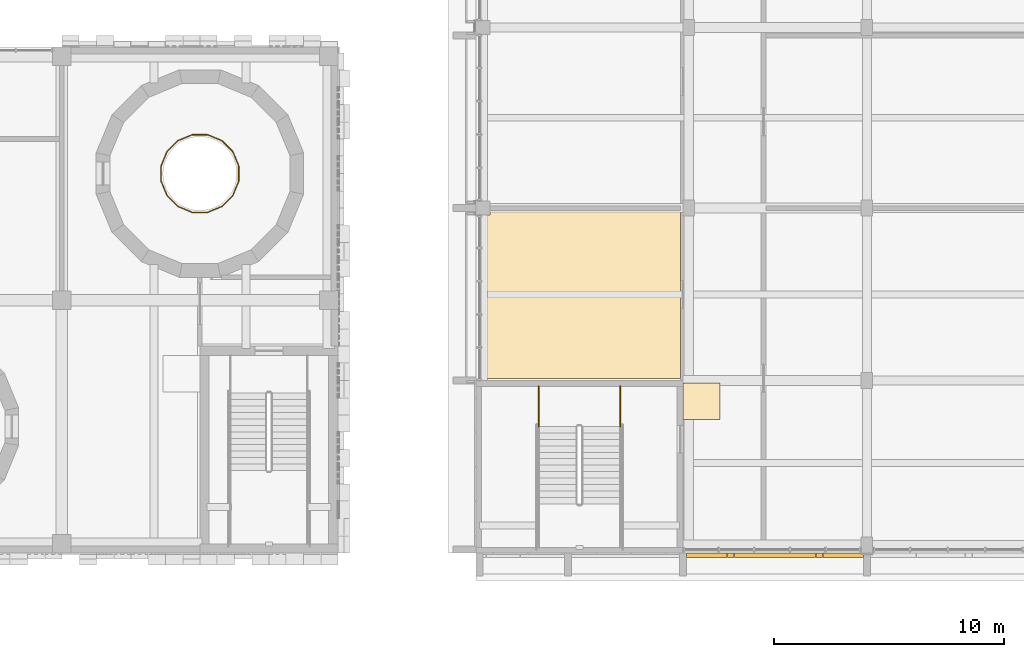
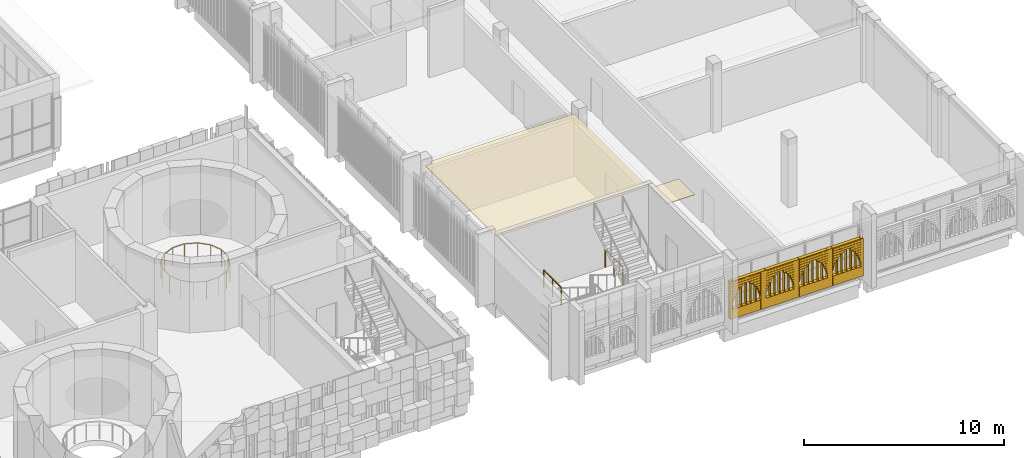
# One storey, part 78 of 92: 3 coverings, 3 railings.
"""IFC4 building model written with IfcOpenShell, lengths in metres."""

from ifc_helpers import new_model, si_unit, direction, frame, origin, origin_2d, place, context, subcontext, project, spatial, polyline, rectangle, circle, outline, extrude, material, layer, layer_set, type_object, element, save


model = new_model("IFC4")

# Units and contexts
model_context = context("Model", 3, precision=1e-05, world=origin(), true_north=direction((0.0, 1.0)))
body_context = subcontext(model_context, "Body", "Model", "MODEL_VIEW")
ifc_project = project(units=[si_unit("LENGTHUNIT", "METRE"), si_unit("AREAUNIT", "SQUARE_METRE"), si_unit("VOLUMEUNIT", "CUBIC_METRE"), si_unit("PLANEANGLEUNIT", "RADIAN"), si_unit("MASSUNIT", "GRAM", prefix="KILO")], contexts=[model_context])

# Site, building, storey
site_placement = place(None, origin())
site = spatial("IfcSite", under=ifc_project, at=site_placement, CompositionType="ELEMENT")
building_placement = place(site_placement, origin())
building = spatial("IfcBuilding", under=site, at=building_placement, Name="Sun Court Science Centre", CompositionType="ELEMENT")
storey_placement = place(building_placement, frame((0.0, 0.0, 11.25)))
storey = spatial("IfcBuildingStorey", under=building, at=storey_placement, Name="L02", CompositionType="ELEMENT", Elevation=11.25)

# Coverings
ifc_material_1 = material(Name="Red sandstone", Category="masonry")
ifc_layer_1 = layer(ifc_material_1, 0.199951171875)
ifc_layer_set_1 = layer_set([ifc_layer_1], Name="Red sandstone")
covering_type_1 = type_object("IfcCoveringType", Name="Arched jali screen 200", PredefinedType="CLADDING", material=ifc_layer_set_1)
covering_1_placement = place(storey_placement, frame((0.0, 0.0, -11.25)))
element("IfcCovering", 1, at=covering_1_placement, inside=storey, type_object=covering_type_1, Name="Arched jali screen south L02 03", PredefinedType="CLADDING", context=body_context, shape_type="SweptSolid", body=[
    extrude(rectangle(XDim=0.139892578125, YDim=0.199951171875, at=origin_2d()), frame((87.22509765625, 5.89990234375, 11.554931640625), z_axis=(0.0, 0.0, 1.0), x_axis=(1.0, 0.0, 0.0)), (0.0, 0.0, 1.0), 2.29736328125),
    extrude(rectangle(XDim=0.2900390625, YDim=0.199951171875, at=origin_2d()), frame((89.074951171875, 5.89990234375, 11.554931640625), z_axis=(0.0, 0.0, 1.0), x_axis=(1.0, 0.0, 0.0)), (0.0, 0.0, 1.0), 2.29736328125),
    extrude(rectangle(XDim=0.2900390625, YDim=0.199951171875, at=origin_2d()), frame((91.0, 5.89990234375, 11.554931640625), z_axis=(0.0, 0.0, 1.0), x_axis=(1.0, 0.0, 0.0)), (0.0, 0.0, 1.0), 2.29736328125),
    extrude(rectangle(XDim=0.2900390625, YDim=0.199951171875, at=origin_2d()), frame((92.925048828125, 5.89990234375, 11.554931640625), z_axis=(0.0, 0.0, 1.0), x_axis=(1.0, 0.0, 0.0)), (0.0, 0.0, 1.0), 2.29736328125),
    extrude(rectangle(XDim=0.139892578125, YDim=0.199951171875, at=origin_2d()), frame((94.77490234375, 5.89990234375, 11.554931640625), z_axis=(0.0, 0.0, 1.0), x_axis=(1.0, 0.0, 0.0)), (0.0, 0.0, 1.0), 2.29736328125),
    extrude(rectangle(XDim=1.614990234375, YDim=0.199951171875, at=origin_2d()), frame((88.112548828125, 5.89990234375, 11.55517578125), z_axis=(0.0, 0.0, 1.0), x_axis=(1.0, 0.0, 0.0)), (0.0, 0.0, 1.0), 0.590087890625),
    extrude(rectangle(XDim=0.033935546875, YDim=0.199951171875, at=origin_2d()), frame((87.322021484375, 5.89990234375, 12.455078125), z_axis=(0.0, 0.0, 1.0), x_axis=(1.0, 0.0, 0.0)), (0.0, 0.0, 1.0), 0.139892578125),
    extrude(rectangle(XDim=0.033935546875, YDim=0.199951171875, at=origin_2d()), frame((88.903076171875, 5.89990234375, 12.455078125), z_axis=(0.0, 0.0, 1.0), x_axis=(1.0, 0.0, 0.0)), (0.0, 0.0, 1.0), 0.139892578125),
    extrude(rectangle(XDim=0.0771484375, YDim=0.199951171875, at=origin_2d()), frame((87.343505859375, 5.89990234375, 12.60498046875), z_axis=(0.0, 0.0, 1.0), x_axis=(1.0, 0.0, 0.0)), (0.0, 0.0, 1.0), 0.139892578125),
    extrude(rectangle(XDim=0.0771484375, YDim=0.199951171875, at=origin_2d()), frame((88.88134765625, 5.89990234375, 12.60498046875), z_axis=(0.0, 0.0, 1.0), x_axis=(1.0, 0.0, 0.0)), (0.0, 0.0, 1.0), 0.139892578125),
    extrude(rectangle(XDim=0.13671875, YDim=0.199951171875, at=origin_2d()), frame((87.373291015625, 5.89990234375, 12.7548828125), z_axis=(0.0, 0.0, 1.0), x_axis=(1.0, 0.0, 0.0)), (0.0, 0.0, 1.0), 0.139892578125),
    extrude(rectangle(XDim=0.13671875, YDim=0.199951171875, at=origin_2d()), frame((88.8515625, 5.89990234375, 12.7548828125), z_axis=(0.0, 0.0, 1.0), x_axis=(1.0, 0.0, 0.0)), (0.0, 0.0, 1.0), 0.139892578125),
    extrude(rectangle(XDim=0.215087890625, YDim=0.199951171875, at=origin_2d()), frame((87.41259765625, 5.89990234375, 12.9052734375), z_axis=(0.0, 0.0, 1.0), x_axis=(1.0, 0.0, 0.0)), (0.0, 0.0, 1.0), 0.139892578125),
    extrude(rectangle(XDim=0.215087890625, YDim=0.199951171875, at=origin_2d()), frame((88.8125, 5.89990234375, 12.9052734375), z_axis=(0.0, 0.0, 1.0), x_axis=(1.0, 0.0, 0.0)), (0.0, 0.0, 1.0), 0.139892578125),
    extrude(rectangle(XDim=0.31494140625, YDim=0.199951171875, at=origin_2d()), frame((87.46240234375, 5.89990234375, 13.05517578125), z_axis=(0.0, 0.0, 1.0), x_axis=(1.0, 0.0, 0.0)), (0.0, 0.0, 1.0), 0.139892578125),
    extrude(rectangle(XDim=0.31494140625, YDim=0.199951171875, at=origin_2d()), frame((88.762451171875, 5.89990234375, 13.05517578125), z_axis=(0.0, 0.0, 1.0), x_axis=(1.0, 0.0, 0.0)), (0.0, 0.0, 1.0), 0.139892578125),
    extrude(rectangle(XDim=0.4423828125, YDim=0.199951171875, at=origin_2d()), frame((87.526123046875, 5.89990234375, 13.205078125), z_axis=(0.0, 0.0, 1.0), x_axis=(1.0, 0.0, 0.0)), (0.0, 0.0, 1.0), 0.139892578125),
    extrude(rectangle(XDim=0.4423828125, YDim=0.199951171875, at=origin_2d()), frame((88.69873046875, 5.89990234375, 13.205078125), z_axis=(0.0, 0.0, 1.0), x_axis=(1.0, 0.0, 0.0)), (0.0, 0.0, 1.0), 0.139892578125),
    extrude(rectangle(XDim=0.607421875, YDim=0.199951171875, at=origin_2d()), frame((87.608642578125, 5.89990234375, 13.35498046875), z_axis=(0.0, 0.0, 1.0), x_axis=(1.0, 0.0, 0.0)), (0.0, 0.0, 1.0), 0.139892578125),
    extrude(rectangle(XDim=0.607421875, YDim=0.199951171875, at=origin_2d()), frame((88.6162109375, 5.89990234375, 13.35498046875), z_axis=(0.0, 0.0, 1.0), x_axis=(1.0, 0.0, 0.0)), (0.0, 0.0, 1.0), 0.139892578125),
    extrude(rectangle(XDim=1.614990234375, YDim=0.199951171875, at=origin_2d()), frame((88.112548828125, 5.89990234375, 13.5048828125), z_axis=(0.0, 0.0, 1.0), x_axis=(1.0, 0.0, 0.0)), (0.0, 0.0, 1.0), 0.139892578125),
    extrude(rectangle(XDim=1.614990234375, YDim=0.199951171875, at=origin_2d()), frame((88.112548828125, 5.89990234375, 13.6552734375), z_axis=(0.0, 0.0, 1.0), x_axis=(1.0, 0.0, 0.0)), (0.0, 0.0, 1.0), 0.139892578125),
    extrude(rectangle(XDim=1.614990234375, YDim=0.199951171875, at=origin_2d()), frame((88.112548828125, 5.89990234375, 13.804931640625), z_axis=(0.0, 0.0, 1.0), x_axis=(1.0, 0.0, 0.0)), (0.0, 0.0, 1.0), 0.04736328125),
    extrude(rectangle(XDim=0.0400390625, YDim=0.199951171875, at=origin_2d()), frame((87.57080078125, 5.89990234375, 12.155029296875), z_axis=(0.0, 0.0, 1.0), x_axis=(1.0, 0.0, 0.0)), (0.0, 0.0, 1.0), 0.88818359375),
    extrude(rectangle(XDim=0.0400390625, YDim=0.199951171875, at=origin_2d()), frame((87.841552734375, 5.89990234375, 12.155029296875), z_axis=(0.0, 0.0, 1.0), x_axis=(1.0, 0.0, 0.0)), (0.0, 0.0, 1.0), 1.201171875),
    extrude(rectangle(XDim=0.0400390625, YDim=0.199951171875, at=origin_2d()), frame((88.112548828125, 5.89990234375, 12.1552734375), z_axis=(0.0, 0.0, 1.0), x_axis=(1.0, 0.0, 0.0)), (0.0, 0.0, 1.0), 1.397216796875),
    extrude(rectangle(XDim=0.0400390625, YDim=0.199951171875, at=origin_2d()), frame((88.38330078125, 5.89990234375, 12.155029296875), z_axis=(0.0, 0.0, 1.0), x_axis=(1.0, 0.0, 0.0)), (0.0, 0.0, 1.0), 1.201171875),
    extrude(rectangle(XDim=0.0400390625, YDim=0.199951171875, at=origin_2d()), frame((88.654052734375, 5.89990234375, 12.155029296875), z_axis=(0.0, 0.0, 1.0), x_axis=(1.0, 0.0, 0.0)), (0.0, 0.0, 1.0), 0.88818359375),
    extrude(rectangle(XDim=1.614990234375, YDim=0.199951171875, at=origin_2d()), frame((90.03759765625, 5.89990234375, 11.55517578125), z_axis=(0.0, 0.0, 1.0), x_axis=(1.0, 0.0, 0.0)), (0.0, 0.0, 1.0), 0.590087890625),
    extrude(rectangle(XDim=0.033935546875, YDim=0.199951171875, at=origin_2d()), frame((89.246826171875, 5.89990234375, 12.455078125), z_axis=(0.0, 0.0, 1.0), x_axis=(1.0, 0.0, 0.0)), (0.0, 0.0, 1.0), 0.139892578125),
    extrude(rectangle(XDim=0.033935546875, YDim=0.199951171875, at=origin_2d()), frame((90.828125, 5.89990234375, 12.455078125), z_axis=(0.0, 0.0, 1.0), x_axis=(1.0, 0.0, 0.0)), (0.0, 0.0, 1.0), 0.139892578125),
    extrude(rectangle(XDim=0.0771484375, YDim=0.199951171875, at=origin_2d()), frame((89.2685546875, 5.89990234375, 12.60498046875), z_axis=(0.0, 0.0, 1.0), x_axis=(1.0, 0.0, 0.0)), (0.0, 0.0, 1.0), 0.139892578125),
    extrude(rectangle(XDim=0.0771484375, YDim=0.199951171875, at=origin_2d()), frame((90.806396484375, 5.89990234375, 12.60498046875), z_axis=(0.0, 0.0, 1.0), x_axis=(1.0, 0.0, 0.0)), (0.0, 0.0, 1.0), 0.139892578125),
    extrude(rectangle(XDim=0.13671875, YDim=0.199951171875, at=origin_2d()), frame((89.29833984375, 5.89990234375, 12.7548828125), z_axis=(0.0, 0.0, 1.0), x_axis=(1.0, 0.0, 0.0)), (0.0, 0.0, 1.0), 0.139892578125),
    extrude(rectangle(XDim=0.13671875, YDim=0.199951171875, at=origin_2d()), frame((90.776611328125, 5.89990234375, 12.7548828125), z_axis=(0.0, 0.0, 1.0), x_axis=(1.0, 0.0, 0.0)), (0.0, 0.0, 1.0), 0.139892578125),
    extrude(rectangle(XDim=0.215087890625, YDim=0.199951171875, at=origin_2d()), frame((89.33740234375, 5.89990234375, 12.9052734375), z_axis=(0.0, 0.0, 1.0), x_axis=(1.0, 0.0, 0.0)), (0.0, 0.0, 1.0), 0.139892578125),
    extrude(rectangle(XDim=0.215087890625, YDim=0.199951171875, at=origin_2d()), frame((90.737548828125, 5.89990234375, 12.9052734375), z_axis=(0.0, 0.0, 1.0), x_axis=(1.0, 0.0, 0.0)), (0.0, 0.0, 1.0), 0.139892578125),
    extrude(rectangle(XDim=0.31494140625, YDim=0.199951171875, at=origin_2d()), frame((89.387451171875, 5.89990234375, 13.05517578125), z_axis=(0.0, 0.0, 1.0), x_axis=(1.0, 0.0, 0.0)), (0.0, 0.0, 1.0), 0.139892578125),
    extrude(rectangle(XDim=0.31494140625, YDim=0.199951171875, at=origin_2d()), frame((90.6875, 5.89990234375, 13.05517578125), z_axis=(0.0, 0.0, 1.0), x_axis=(1.0, 0.0, 0.0)), (0.0, 0.0, 1.0), 0.139892578125),
    extrude(rectangle(XDim=0.4423828125, YDim=0.199951171875, at=origin_2d()), frame((89.451171875, 5.89990234375, 13.205078125), z_axis=(0.0, 0.0, 1.0), x_axis=(1.0, 0.0, 0.0)), (0.0, 0.0, 1.0), 0.139892578125),
    extrude(rectangle(XDim=0.4423828125, YDim=0.199951171875, at=origin_2d()), frame((90.623779296875, 5.89990234375, 13.205078125), z_axis=(0.0, 0.0, 1.0), x_axis=(1.0, 0.0, 0.0)), (0.0, 0.0, 1.0), 0.139892578125),
    extrude(rectangle(XDim=0.607421875, YDim=0.199951171875, at=origin_2d()), frame((89.53369140625, 5.89990234375, 13.35498046875), z_axis=(0.0, 0.0, 1.0), x_axis=(1.0, 0.0, 0.0)), (0.0, 0.0, 1.0), 0.139892578125),
    extrude(rectangle(XDim=0.607421875, YDim=0.199951171875, at=origin_2d()), frame((90.541259765625, 5.89990234375, 13.35498046875), z_axis=(0.0, 0.0, 1.0), x_axis=(1.0, 0.0, 0.0)), (0.0, 0.0, 1.0), 0.139892578125),
    extrude(rectangle(XDim=1.614990234375, YDim=0.199951171875, at=origin_2d()), frame((90.03759765625, 5.89990234375, 13.5048828125), z_axis=(0.0, 0.0, 1.0), x_axis=(1.0, 0.0, 0.0)), (0.0, 0.0, 1.0), 0.139892578125),
    extrude(rectangle(XDim=1.614990234375, YDim=0.199951171875, at=origin_2d()), frame((90.03759765625, 5.89990234375, 13.6552734375), z_axis=(0.0, 0.0, 1.0), x_axis=(1.0, 0.0, 0.0)), (0.0, 0.0, 1.0), 0.139892578125),
    extrude(rectangle(XDim=1.614990234375, YDim=0.199951171875, at=origin_2d()), frame((90.03759765625, 5.89990234375, 13.804931640625), z_axis=(0.0, 0.0, 1.0), x_axis=(1.0, 0.0, 0.0)), (0.0, 0.0, 1.0), 0.04736328125),
    extrude(rectangle(XDim=0.0400390625, YDim=0.199951171875, at=origin_2d()), frame((89.495849609375, 5.89990234375, 12.155029296875), z_axis=(0.0, 0.0, 1.0), x_axis=(1.0, 0.0, 0.0)), (0.0, 0.0, 1.0), 0.88818359375),
    extrude(rectangle(XDim=0.0400390625, YDim=0.199951171875, at=origin_2d()), frame((89.7666015625, 5.89990234375, 12.155029296875), z_axis=(0.0, 0.0, 1.0), x_axis=(1.0, 0.0, 0.0)), (0.0, 0.0, 1.0), 1.201171875),
    extrude(rectangle(XDim=0.0400390625, YDim=0.199951171875, at=origin_2d()), frame((90.03759765625, 5.89990234375, 12.1552734375), z_axis=(0.0, 0.0, 1.0), x_axis=(1.0, 0.0, 0.0)), (0.0, 0.0, 1.0), 1.397216796875),
    extrude(rectangle(XDim=0.0400390625, YDim=0.199951171875, at=origin_2d()), frame((90.308349609375, 5.89990234375, 12.155029296875), z_axis=(0.0, 0.0, 1.0), x_axis=(1.0, 0.0, 0.0)), (0.0, 0.0, 1.0), 1.201171875),
    extrude(rectangle(XDim=0.0400390625, YDim=0.199951171875, at=origin_2d()), frame((90.5791015625, 5.89990234375, 12.155029296875), z_axis=(0.0, 0.0, 1.0), x_axis=(1.0, 0.0, 0.0)), (0.0, 0.0, 1.0), 0.88818359375),
    extrude(rectangle(XDim=1.614990234375, YDim=0.199951171875, at=origin_2d()), frame((91.96240234375, 5.89990234375, 11.55517578125), z_axis=(0.0, 0.0, 1.0), x_axis=(1.0, 0.0, 0.0)), (0.0, 0.0, 1.0), 0.590087890625),
    extrude(rectangle(XDim=0.033935546875, YDim=0.199951171875, at=origin_2d()), frame((91.171875, 5.89990234375, 12.455078125), z_axis=(0.0, 0.0, 1.0), x_axis=(1.0, 0.0, 0.0)), (0.0, 0.0, 1.0), 0.139892578125),
    extrude(rectangle(XDim=0.033935546875, YDim=0.199951171875, at=origin_2d()), frame((92.753173828125, 5.89990234375, 12.455078125), z_axis=(0.0, 0.0, 1.0), x_axis=(1.0, 0.0, 0.0)), (0.0, 0.0, 1.0), 0.139892578125),
    extrude(rectangle(XDim=0.0771484375, YDim=0.199951171875, at=origin_2d()), frame((91.193603515625, 5.89990234375, 12.60498046875), z_axis=(0.0, 0.0, 1.0), x_axis=(1.0, 0.0, 0.0)), (0.0, 0.0, 1.0), 0.139892578125),
    extrude(rectangle(XDim=0.0771484375, YDim=0.199951171875, at=origin_2d()), frame((92.7314453125, 5.89990234375, 12.60498046875), z_axis=(0.0, 0.0, 1.0), x_axis=(1.0, 0.0, 0.0)), (0.0, 0.0, 1.0), 0.139892578125),
    extrude(rectangle(XDim=0.13671875, YDim=0.199951171875, at=origin_2d()), frame((91.223388671875, 5.89990234375, 12.7548828125), z_axis=(0.0, 0.0, 1.0), x_axis=(1.0, 0.0, 0.0)), (0.0, 0.0, 1.0), 0.139892578125),
    extrude(rectangle(XDim=0.13671875, YDim=0.199951171875, at=origin_2d()), frame((92.70166015625, 5.89990234375, 12.7548828125), z_axis=(0.0, 0.0, 1.0), x_axis=(1.0, 0.0, 0.0)), (0.0, 0.0, 1.0), 0.139892578125),
    extrude(rectangle(XDim=0.215087890625, YDim=0.199951171875, at=origin_2d()), frame((91.262451171875, 5.89990234375, 12.9052734375), z_axis=(0.0, 0.0, 1.0), x_axis=(1.0, 0.0, 0.0)), (0.0, 0.0, 1.0), 0.139892578125),
    extrude(rectangle(XDim=0.215087890625, YDim=0.199951171875, at=origin_2d()), frame((92.66259765625, 5.89990234375, 12.9052734375), z_axis=(0.0, 0.0, 1.0), x_axis=(1.0, 0.0, 0.0)), (0.0, 0.0, 1.0), 0.139892578125),
    extrude(rectangle(XDim=0.31494140625, YDim=0.199951171875, at=origin_2d()), frame((91.3125, 5.89990234375, 13.05517578125), z_axis=(0.0, 0.0, 1.0), x_axis=(1.0, 0.0, 0.0)), (0.0, 0.0, 1.0), 0.139892578125),
    extrude(rectangle(XDim=0.31494140625, YDim=0.199951171875, at=origin_2d()), frame((92.612548828125, 5.89990234375, 13.05517578125), z_axis=(0.0, 0.0, 1.0), x_axis=(1.0, 0.0, 0.0)), (0.0, 0.0, 1.0), 0.139892578125),
    extrude(rectangle(XDim=0.4423828125, YDim=0.199951171875, at=origin_2d()), frame((91.376220703125, 5.89990234375, 13.205078125), z_axis=(0.0, 0.0, 1.0), x_axis=(1.0, 0.0, 0.0)), (0.0, 0.0, 1.0), 0.139892578125),
    extrude(rectangle(XDim=0.4423828125, YDim=0.199951171875, at=origin_2d()), frame((92.548828125, 5.89990234375, 13.205078125), z_axis=(0.0, 0.0, 1.0), x_axis=(1.0, 0.0, 0.0)), (0.0, 0.0, 1.0), 0.139892578125),
    extrude(rectangle(XDim=0.607421875, YDim=0.199951171875, at=origin_2d()), frame((91.458740234375, 5.89990234375, 13.35498046875), z_axis=(0.0, 0.0, 1.0), x_axis=(1.0, 0.0, 0.0)), (0.0, 0.0, 1.0), 0.139892578125),
    extrude(rectangle(XDim=0.607421875, YDim=0.199951171875, at=origin_2d()), frame((92.46630859375, 5.89990234375, 13.35498046875), z_axis=(0.0, 0.0, 1.0), x_axis=(1.0, 0.0, 0.0)), (0.0, 0.0, 1.0), 0.139892578125),
    extrude(rectangle(XDim=1.614990234375, YDim=0.199951171875, at=origin_2d()), frame((91.96240234375, 5.89990234375, 13.5048828125), z_axis=(0.0, 0.0, 1.0), x_axis=(1.0, 0.0, 0.0)), (0.0, 0.0, 1.0), 0.139892578125),
    extrude(rectangle(XDim=1.614990234375, YDim=0.199951171875, at=origin_2d()), frame((91.96240234375, 5.89990234375, 13.6552734375), z_axis=(0.0, 0.0, 1.0), x_axis=(1.0, 0.0, 0.0)), (0.0, 0.0, 1.0), 0.139892578125),
    extrude(rectangle(XDim=1.614990234375, YDim=0.199951171875, at=origin_2d()), frame((91.96240234375, 5.89990234375, 13.804931640625), z_axis=(0.0, 0.0, 1.0), x_axis=(1.0, 0.0, 0.0)), (0.0, 0.0, 1.0), 0.04736328125),
    extrude(rectangle(XDim=0.0400390625, YDim=0.199951171875, at=origin_2d()), frame((91.4208984375, 5.89990234375, 12.155029296875), z_axis=(0.0, 0.0, 1.0), x_axis=(1.0, 0.0, 0.0)), (0.0, 0.0, 1.0), 0.88818359375),
    extrude(rectangle(XDim=0.0400390625, YDim=0.199951171875, at=origin_2d()), frame((91.691650390625, 5.89990234375, 12.155029296875), z_axis=(0.0, 0.0, 1.0), x_axis=(1.0, 0.0, 0.0)), (0.0, 0.0, 1.0), 1.201171875),
    extrude(rectangle(XDim=0.0400390625, YDim=0.199951171875, at=origin_2d()), frame((91.96240234375, 5.89990234375, 12.1552734375), z_axis=(0.0, 0.0, 1.0), x_axis=(1.0, 0.0, 0.0)), (0.0, 0.0, 1.0), 1.397216796875),
    extrude(rectangle(XDim=0.0400390625, YDim=0.199951171875, at=origin_2d()), frame((92.2333984375, 5.89990234375, 12.155029296875), z_axis=(0.0, 0.0, 1.0), x_axis=(1.0, 0.0, 0.0)), (0.0, 0.0, 1.0), 1.201171875),
    extrude(rectangle(XDim=0.0400390625, YDim=0.199951171875, at=origin_2d()), frame((92.504150390625, 5.89990234375, 12.155029296875), z_axis=(0.0, 0.0, 1.0), x_axis=(1.0, 0.0, 0.0)), (0.0, 0.0, 1.0), 0.88818359375),
    extrude(rectangle(XDim=1.614990234375, YDim=0.199951171875, at=origin_2d()), frame((93.887451171875, 5.89990234375, 11.55517578125), z_axis=(0.0, 0.0, 1.0), x_axis=(1.0, 0.0, 0.0)), (0.0, 0.0, 1.0), 0.590087890625),
    extrude(rectangle(XDim=0.033935546875, YDim=0.199951171875, at=origin_2d()), frame((93.096923828125, 5.89990234375, 12.455078125), z_axis=(0.0, 0.0, 1.0), x_axis=(1.0, 0.0, 0.0)), (0.0, 0.0, 1.0), 0.139892578125),
    extrude(rectangle(XDim=0.033935546875, YDim=0.199951171875, at=origin_2d()), frame((94.677978515625, 5.89990234375, 12.455078125), z_axis=(0.0, 0.0, 1.0), x_axis=(1.0, 0.0, 0.0)), (0.0, 0.0, 1.0), 0.139892578125),
    extrude(rectangle(XDim=0.0771484375, YDim=0.199951171875, at=origin_2d()), frame((93.11865234375, 5.89990234375, 12.60498046875), z_axis=(0.0, 0.0, 1.0), x_axis=(1.0, 0.0, 0.0)), (0.0, 0.0, 1.0), 0.139892578125),
    extrude(rectangle(XDim=0.0771484375, YDim=0.199951171875, at=origin_2d()), frame((94.656494140625, 5.89990234375, 12.60498046875), z_axis=(0.0, 0.0, 1.0), x_axis=(1.0, 0.0, 0.0)), (0.0, 0.0, 1.0), 0.139892578125),
    extrude(rectangle(XDim=0.13671875, YDim=0.199951171875, at=origin_2d()), frame((93.1484375, 5.89990234375, 12.7548828125), z_axis=(0.0, 0.0, 1.0), x_axis=(1.0, 0.0, 0.0)), (0.0, 0.0, 1.0), 0.139892578125),
    extrude(rectangle(XDim=0.13671875, YDim=0.199951171875, at=origin_2d()), frame((94.626708984375, 5.89990234375, 12.7548828125), z_axis=(0.0, 0.0, 1.0), x_axis=(1.0, 0.0, 0.0)), (0.0, 0.0, 1.0), 0.139892578125),
    extrude(rectangle(XDim=0.215087890625, YDim=0.199951171875, at=origin_2d()), frame((93.1875, 5.89990234375, 12.9052734375), z_axis=(0.0, 0.0, 1.0), x_axis=(1.0, 0.0, 0.0)), (0.0, 0.0, 1.0), 0.139892578125),
    extrude(rectangle(XDim=0.215087890625, YDim=0.199951171875, at=origin_2d()), frame((94.58740234375, 5.89990234375, 12.9052734375), z_axis=(0.0, 0.0, 1.0), x_axis=(1.0, 0.0, 0.0)), (0.0, 0.0, 1.0), 0.139892578125),
    extrude(rectangle(XDim=0.31494140625, YDim=0.199951171875, at=origin_2d()), frame((93.237548828125, 5.89990234375, 13.05517578125), z_axis=(0.0, 0.0, 1.0), x_axis=(1.0, 0.0, 0.0)), (0.0, 0.0, 1.0), 0.139892578125),
    extrude(rectangle(XDim=0.31494140625, YDim=0.199951171875, at=origin_2d()), frame((94.53759765625, 5.89990234375, 13.05517578125), z_axis=(0.0, 0.0, 1.0), x_axis=(1.0, 0.0, 0.0)), (0.0, 0.0, 1.0), 0.139892578125),
    extrude(rectangle(XDim=0.4423828125, YDim=0.199951171875, at=origin_2d()), frame((93.30126953125, 5.89990234375, 13.205078125), z_axis=(0.0, 0.0, 1.0), x_axis=(1.0, 0.0, 0.0)), (0.0, 0.0, 1.0), 0.139892578125),
    extrude(rectangle(XDim=0.4423828125, YDim=0.199951171875, at=origin_2d()), frame((94.473876953125, 5.89990234375, 13.205078125), z_axis=(0.0, 0.0, 1.0), x_axis=(1.0, 0.0, 0.0)), (0.0, 0.0, 1.0), 0.139892578125),
    extrude(rectangle(XDim=0.607421875, YDim=0.199951171875, at=origin_2d()), frame((93.3837890625, 5.89990234375, 13.35498046875), z_axis=(0.0, 0.0, 1.0), x_axis=(1.0, 0.0, 0.0)), (0.0, 0.0, 1.0), 0.139892578125),
    extrude(rectangle(XDim=0.607421875, YDim=0.199951171875, at=origin_2d()), frame((94.391357421875, 5.89990234375, 13.35498046875), z_axis=(0.0, 0.0, 1.0), x_axis=(1.0, 0.0, 0.0)), (0.0, 0.0, 1.0), 0.139892578125),
    extrude(rectangle(XDim=1.614990234375, YDim=0.199951171875, at=origin_2d()), frame((93.887451171875, 5.89990234375, 13.5048828125), z_axis=(0.0, 0.0, 1.0), x_axis=(1.0, 0.0, 0.0)), (0.0, 0.0, 1.0), 0.139892578125),
    extrude(rectangle(XDim=1.614990234375, YDim=0.199951171875, at=origin_2d()), frame((93.887451171875, 5.89990234375, 13.6552734375), z_axis=(0.0, 0.0, 1.0), x_axis=(1.0, 0.0, 0.0)), (0.0, 0.0, 1.0), 0.139892578125),
    extrude(rectangle(XDim=1.614990234375, YDim=0.199951171875, at=origin_2d()), frame((93.887451171875, 5.89990234375, 13.804931640625), z_axis=(0.0, 0.0, 1.0), x_axis=(1.0, 0.0, 0.0)), (0.0, 0.0, 1.0), 0.04736328125),
    extrude(rectangle(XDim=0.0400390625, YDim=0.199951171875, at=origin_2d()), frame((93.345947265625, 5.89990234375, 12.155029296875), z_axis=(0.0, 0.0, 1.0), x_axis=(1.0, 0.0, 0.0)), (0.0, 0.0, 1.0), 0.88818359375),
    extrude(rectangle(XDim=0.0400390625, YDim=0.199951171875, at=origin_2d()), frame((93.61669921875, 5.89990234375, 12.155029296875), z_axis=(0.0, 0.0, 1.0), x_axis=(1.0, 0.0, 0.0)), (0.0, 0.0, 1.0), 1.201171875),
    extrude(rectangle(XDim=0.0400390625, YDim=0.199951171875, at=origin_2d()), frame((93.887451171875, 5.89990234375, 12.1552734375), z_axis=(0.0, 0.0, 1.0), x_axis=(1.0, 0.0, 0.0)), (0.0, 0.0, 1.0), 1.397216796875),
    extrude(rectangle(XDim=0.0400390625, YDim=0.199951171875, at=origin_2d()), frame((94.158447265625, 5.89990234375, 12.155029296875), z_axis=(0.0, 0.0, 1.0), x_axis=(1.0, 0.0, 0.0)), (0.0, 0.0, 1.0), 1.201171875),
    extrude(rectangle(XDim=0.0400390625, YDim=0.199951171875, at=origin_2d()), frame((94.42919921875, 5.89990234375, 12.155029296875), z_axis=(0.0, 0.0, 1.0), x_axis=(1.0, 0.0, 0.0)), (0.0, 0.0, 1.0), 0.88818359375),
])
ifc_material_2 = material(Name="Gypsum board")
ifc_layer_2 = layer(ifc_material_2, 0.030029296875)
ifc_layer_set_2 = layer_set([ifc_layer_2], Name="Gypsum board")
covering_type_2 = type_object("IfcCoveringType", Name="Ceiling suspended 600 module", PredefinedType="CEILING", material=ifc_layer_set_2)
covering_2_placement = place(storey_placement, frame((0.0, 0.0, 3.77001953125)))
element("IfcCovering", 2, at=covering_2_placement, inside=storey, type_object=covering_type_2, Name="L02-044 ceiling", PredefinedType="CEILING", context=body_context, shape_type="SweptSolid", body=[
    extrude(outline(polyline([(78.60009765625, 20.89990234375), (86.89990234375, 20.89990234375), (86.89990234375, 13.60009765625), (78.199951171875, 13.60009765625), (78.199951171875, 20.699951171875), (78.60009765625, 20.699951171875), (78.60009765625, 20.89990234375)])), origin(), (0.0, 0.0, 1.0), 0.030029296875),
])
covering_3_placement = place(storey_placement, frame((0.0, 0.0, 3.77001953125)))
element("IfcCovering", 3, at=covering_3_placement, inside=storey, type_object=covering_type_2, Name="L02-060 ceiling", PredefinedType="CEILING", context=body_context, shape_type="SweptSolid", body=[
    extrude(outline(polyline([(88.60009765625, 13.39990234375), (88.60009765625, 11.800048828125), (87.0, 11.800048828125), (87.0, 13.39990234375), (88.60009765625, 13.39990234375)])), origin(), (0.0, 0.0, 1.0), 0.030029296875),
])

# Railings
ifc_material_3 = material(Name="Steel S275", Category="steel")
railing_type_1 = type_object("IfcRailingType", Name="Guard 1100 steel balustrade", PredefinedType="GUARDRAIL", material=ifc_material_3)
for number, where, name in (
    (4, (80.72705078125, 13.25, 0.0), "L02 SL1 stair guard 7"),
    (5, (84.27294921875, 13.25, 0.0), "L02 SL1 stair guard 8"),
):
    element("IfcRailing", number, at=place(storey_placement, frame(where)), inside=storey, type_object=railing_type_1, Name=name, PredefinedType="GUARDRAIL", context=body_context, shape_type="SweptSolid", body=[
        extrude(circle(Radius=0.02392578125, at=origin_2d()), frame((0.0, 0.0, 1.076171875), z_axis=(0.0, -1.0, 0.0), x_axis=(1.0, 0.0, 0.0)), (0.0, 0.0, 1.0), 1.748046875),
        extrude(circle(Radius=0.02099609375, at=origin_2d()), origin(), (0.0, 0.0, 1.0), 1.052001953125),
        extrude(circle(Radius=0.02099609375, at=origin_2d()), frame((0.0, -0.8740234375, 0.0)), (0.0, 0.0, 1.0), 1.052001953125),
        extrude(circle(Radius=0.02099609375, at=origin_2d()), frame((0.0, -1.748046875, 0.0)), (0.0, 0.0, 1.0), 1.052001953125),
    ])
ifc_material_4 = material(Name="Steel S275", Category="steel")
railing_type_2 = type_object("IfcRailingType", Name="Guard 1100 well balustrade", PredefinedType="GUARDRAIL", material=ifc_material_4)
railing_placement = place(storey_placement, frame((67.68701171875, 22.83544921875, 0.0)))
element("IfcRailing", 6, at=railing_placement, inside=storey, type_object=railing_type_2, Name="C6 well guard L02", PredefinedType="GUARDRAIL", context=body_context, shape_type="SweptSolid", body=[
    extrude(circle(Radius=0.02392578125, at=origin_2d()), frame((0.0, 0.0, 1.076171875), z_axis=(-0.382651625058, 0.923892706888, 0.0), x_axis=(-0.923892706888, -0.382651625058, 0.0)), (0.0, 0.0, 1.0), 0.671142578125),
    extrude(circle(Radius=0.02392578125, at=origin_2d()), frame((-0.2568359375, 0.6201171875, 1.076171875), z_axis=(-0.707106781187, 0.707106781187, 0.0), x_axis=(-0.707106781187, -0.707106781187, 0.0)), (0.0, 0.0, 1.0), 0.671142578125),
    extrude(circle(Radius=0.02392578125, at=origin_2d()), frame((-0.7314453125, 1.0947265625, 1.076171875), z_axis=(-0.923892706888, 0.382651625058, 0.0), x_axis=(-0.382651625058, -0.923892706888, 0.0)), (0.0, 0.0, 1.0), 0.671142578125),
    extrude(circle(Radius=0.02392578125, at=origin_2d()), frame((-1.3515625, 1.3515625, 1.076171875), z_axis=(-1.0, 0.0, 0.0), x_axis=(0.0, -1.0, 0.0)), (0.0, 0.0, 1.0), 0.6708984375),
    extrude(circle(Radius=0.02392578125, at=origin_2d()), frame((-2.0224609375, 1.3515625, 1.076171875), z_axis=(-0.923892706888, -0.382651625058, 0.0), x_axis=(0.382651625058, -0.923892706888, 0.0)), (0.0, 0.0, 1.0), 0.671142578125),
    extrude(circle(Radius=0.02392578125, at=origin_2d()), frame((-2.642578125, 1.0947265625, 1.076171875), z_axis=(-0.707106781187, -0.707106781187, 0.0), x_axis=(0.707106781187, -0.707106781187, 0.0)), (0.0, 0.0, 1.0), 0.671142578125),
    extrude(circle(Radius=0.02392578125, at=origin_2d()), frame((-3.1171875, 0.6201171875, 1.076171875), z_axis=(-0.382651625058, -0.923892706888, 0.0), x_axis=(0.923892706888, -0.382651625058, 0.0)), (0.0, 0.0, 1.0), 0.671142578125),
    extrude(circle(Radius=0.02392578125, at=origin_2d()), frame((-3.3740234375, 0.0, 1.076171875), z_axis=(0.0, -1.0, 0.0), x_axis=(1.0, 0.0, 0.0)), (0.0, 0.0, 1.0), 0.6708984375),
    extrude(circle(Radius=0.02392578125, at=origin_2d()), frame((-3.3740234375, -0.6708984375, 1.076171875), z_axis=(0.382651625058, -0.923892706888, 0.0), x_axis=(0.923892706888, 0.382651625058, 0.0)), (0.0, 0.0, 1.0), 0.671142578125),
    extrude(circle(Radius=0.02392578125, at=origin_2d()), frame((-3.1171875, -1.291015625, 1.076171875), z_axis=(0.707106781187, -0.707106781187, 0.0), x_axis=(0.707106781187, 0.707106781187, 0.0)), (0.0, 0.0, 1.0), 0.671142578125),
    extrude(circle(Radius=0.02392578125, at=origin_2d()), frame((-2.642578125, -1.765625, 1.076171875), z_axis=(0.923892706888, -0.382651625058, 0.0), x_axis=(0.382651625058, 0.923892706888, 0.0)), (0.0, 0.0, 1.0), 0.671142578125),
    extrude(circle(Radius=0.02392578125, at=origin_2d()), frame((-2.0224609375, -2.0224609375, 1.076171875), z_axis=(1.0, 0.0, 0.0), x_axis=(0.0, 1.0, 0.0)), (0.0, 0.0, 1.0), 0.6708984375),
    extrude(circle(Radius=0.02392578125, at=origin_2d()), frame((-1.3515625, -2.0224609375, 1.076171875), z_axis=(0.923892706888, 0.382651625058, 0.0), x_axis=(-0.382651625058, 0.923892706888, 0.0)), (0.0, 0.0, 1.0), 0.671142578125),
    extrude(circle(Radius=0.02392578125, at=origin_2d()), frame((-0.7314453125, -1.765625, 1.076171875), z_axis=(0.707106781187, 0.707106781187, 0.0), x_axis=(-0.707106781187, 0.707106781187, 0.0)), (0.0, 0.0, 1.0), 0.671142578125),
    extrude(circle(Radius=0.02392578125, at=origin_2d()), frame((-0.2568359375, -1.291015625, 1.076171875), z_axis=(0.382651625058, 0.923892706888, 0.0), x_axis=(-0.923892706888, 0.382651625058, 0.0)), (0.0, 0.0, 1.0), 0.671142578125),
    extrude(circle(Radius=0.02392578125, at=origin_2d()), frame((0.0, -0.6708984375, 1.076171875), z_axis=(0.0, 1.0, 0.0), x_axis=(-1.0, 0.0, 0.0)), (0.0, 0.0, 1.0), 0.6708984375),
    extrude(circle(Radius=0.02099609375, at=origin_2d()), origin(), (0.0, 0.0, 1.0), 1.052001953125),
    extrude(circle(Radius=0.02099609375, at=origin_2d()), frame((-0.2568359375, 0.6201171875, 0.0)), (0.0, 0.0, 1.0), 1.052001953125),
    extrude(circle(Radius=0.02099609375, at=origin_2d()), frame((-0.7314453125, 1.0947265625, 0.0)), (0.0, 0.0, 1.0), 1.052001953125),
    extrude(circle(Radius=0.02099609375, at=origin_2d()), frame((-1.3515625, 1.3515625, 0.0)), (0.0, 0.0, 1.0), 1.052001953125),
    extrude(circle(Radius=0.02099609375, at=origin_2d()), frame((-2.0224609375, 1.3515625, 0.0)), (0.0, 0.0, 1.0), 1.052001953125),
    extrude(circle(Radius=0.02099609375, at=origin_2d()), frame((-2.642578125, 1.0947265625, 0.0)), (0.0, 0.0, 1.0), 1.052001953125),
    extrude(circle(Radius=0.02099609375, at=origin_2d()), frame((-3.1171875, 0.6201171875, 0.0)), (0.0, 0.0, 1.0), 1.052001953125),
    extrude(circle(Radius=0.02099609375, at=origin_2d()), frame((-3.3740234375, 0.0, 0.0)), (0.0, 0.0, 1.0), 1.052001953125),
    extrude(circle(Radius=0.02099609375, at=origin_2d()), frame((-3.3740234375, -0.6708984375, 0.0)), (0.0, 0.0, 1.0), 1.052001953125),
    extrude(circle(Radius=0.02099609375, at=origin_2d()), frame((-3.1171875, -1.291015625, 0.0)), (0.0, 0.0, 1.0), 1.052001953125),
    extrude(circle(Radius=0.02099609375, at=origin_2d()), frame((-2.642578125, -1.765625, 0.0)), (0.0, 0.0, 1.0), 1.052001953125),
    extrude(circle(Radius=0.02099609375, at=origin_2d()), frame((-2.0224609375, -2.0224609375, 0.0)), (0.0, 0.0, 1.0), 1.052001953125),
    extrude(circle(Radius=0.02099609375, at=origin_2d()), frame((-1.3515625, -2.0224609375, 0.0)), (0.0, 0.0, 1.0), 1.052001953125),
    extrude(circle(Radius=0.02099609375, at=origin_2d()), frame((-0.7314453125, -1.765625, 0.0)), (0.0, 0.0, 1.0), 1.052001953125),
    extrude(circle(Radius=0.02099609375, at=origin_2d()), frame((-0.2568359375, -1.291015625, 0.0)), (0.0, 0.0, 1.0), 1.052001953125),
    extrude(circle(Radius=0.02099609375, at=origin_2d()), frame((0.0, -0.6708984375, 0.0)), (0.0, 0.0, 1.0), 1.052001953125),
])

save(model, "model.ifc")
